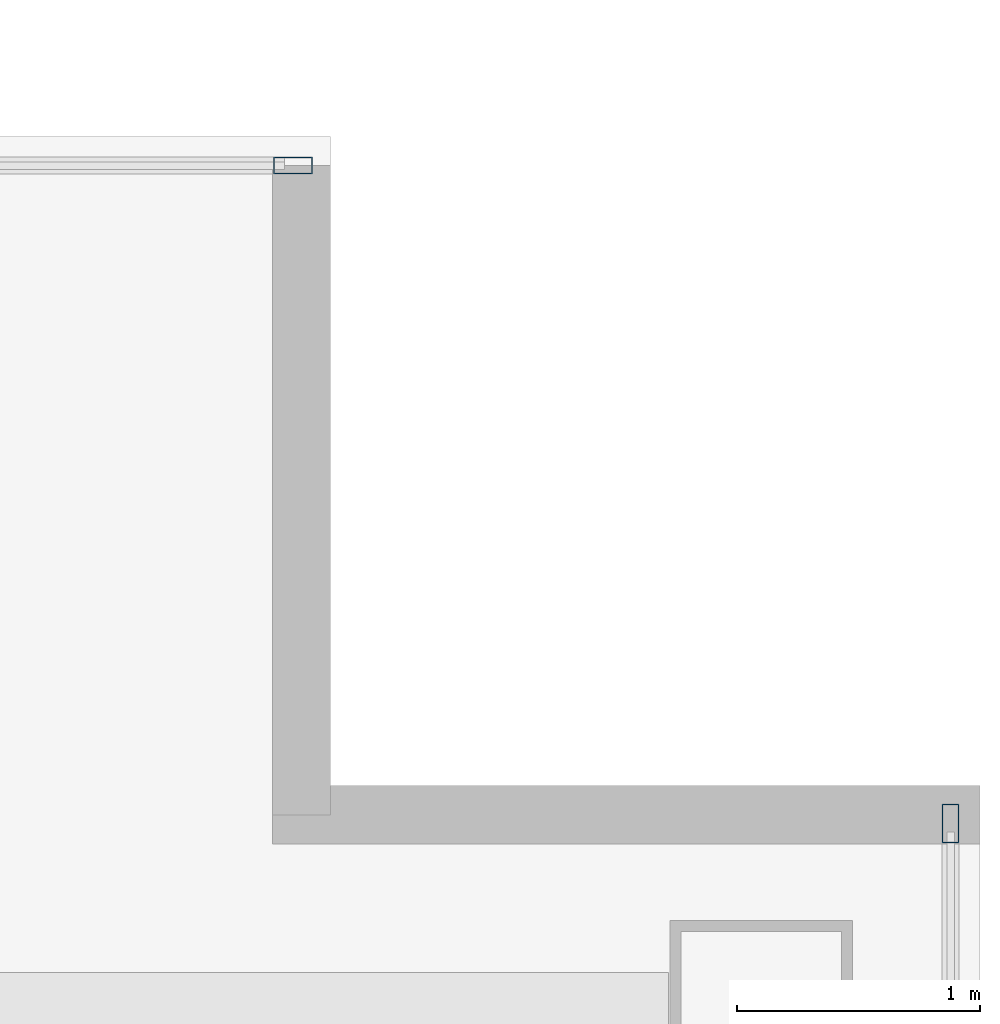
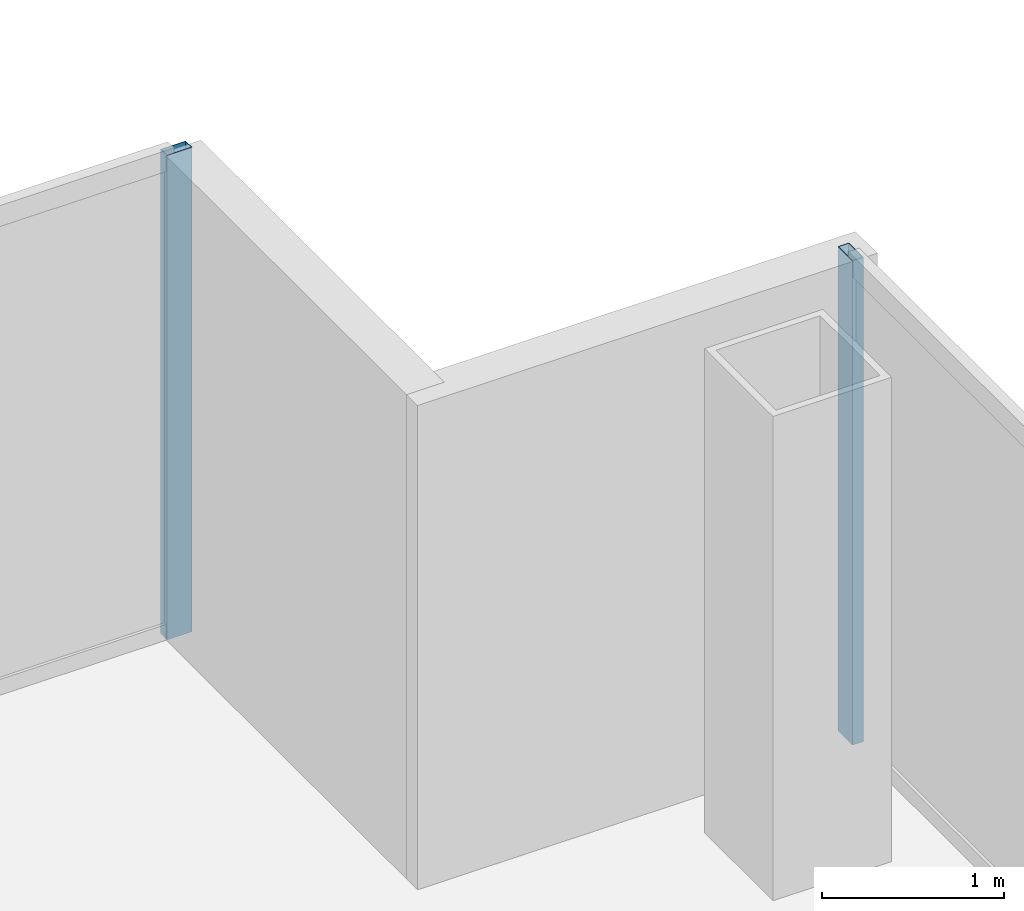
# One storey, part 16 of 23: 2 members, 2 elements without a shape of their own.
"""IFC4 building model written with IfcOpenShell, lengths in metres."""

import ifcopenshell
import ifcopenshell.guid

model = None  # the IFC model being written
_history = None  # IfcOwnerHistory: only IFC2X3 demands one
_inside = {}  # id of a spatial element -> (the spatial element, [elements in it])
_under = {}  # id of a project, library or spatial element -> (it, [spatial elements below it])
_declared = {}  # id of a project -> (the project, [libraries it declares])
_typed = {}  # id of a type object -> (the type object, [elements of that type])
_made_of = {}  # id of a material, layer set ... -> (it, [elements and type objects made of it])


def new_model(schema):
    """Start an empty IFC model of exactly this schema.

    Asked for "IFC4X3", IfcOpenShell would pick the latest addendum, in which some entities
    have other attributes; the version numbers below select the first issue.
    IFC2X3 requires an IfcOwnerHistory on every rooted entity: one is made here for all.
    """
    global model, _history
    if schema == "IFC4X3":
        model = ifcopenshell.file(schema_version=(4, 3, 0, 0))
    else:
        model = ifcopenshell.file(schema=schema)
    _inside.clear()
    _under.clear()
    _declared.clear()
    _typed.clear()
    _made_of.clear()
    _history = None
    if model.schema == "IFC2X3":
        org = make("IfcOrganization", Name="unknown")
        user = make(
            "IfcPersonAndOrganization",
            ThePerson=make("IfcPerson", FamilyName="unknown"),
            TheOrganization=org,
        )
        app = make(
            "IfcApplication",
            ApplicationDeveloper=org,
            Version="unknown",
            ApplicationFullName="unknown",
            ApplicationIdentifier="unknown",
        )
        _history = make(
            "IfcOwnerHistory",
            OwningUser=user,
            OwningApplication=app,
            ChangeAction="ADDED",
            CreationDate=0,
        )
    return model


def make(cls, **values):
    """One entity of the class cls with the attributes given. An attribute that is None is left unset."""
    return model.create_entity(
        cls, **{name: value for name, value in values.items() if value is not None}
    )


def rooted(cls, **values):
    """An entity with a GlobalId (a new one), such as an element, a storey or a relation."""
    return make(cls, GlobalId=ifcopenshell.guid.new(), OwnerHistory=_history, **values)


def si_unit(unit_type, name, prefix=None):
    """IfcSIUnit, for example si_unit("LENGTHUNIT", "METRE", prefix="MILLI")."""
    return make("IfcSIUnit", UnitType=unit_type, Prefix=prefix, Name=name)


def assignment(units):
    """IfcUnitAssignment: the units of a project."""
    return None if units is None else make("IfcUnitAssignment", Units=units)


def point(xyz):
    """IfcCartesianPoint."""
    return None if xyz is None else make("IfcCartesianPoint", Coordinates=xyz)


def direction(xyz):
    """IfcDirection."""
    return None if xyz is None else make("IfcDirection", DirectionRatios=xyz)


def frame(location, z_axis=None, x_axis=None):
    """IfcAxis2Placement3D, a coordinate frame: its origin and axes. An axis left out is left unset."""
    return make(
        "IfcAxis2Placement3D",
        Location=point(location),
        Axis=direction(z_axis),
        RefDirection=direction(x_axis),
    )


def frame_2d(location, x_axis=None):
    """IfcAxis2Placement2D, a coordinate frame in the plane: its origin and x axis."""
    return make(
        "IfcAxis2Placement2D", Location=point(location), RefDirection=direction(x_axis)
    )


def origin():
    """The frame at (0, 0, 0) with its axes left unset."""
    return frame((0.0, 0.0, 0.0))


def origin_2d():
    """The frame at (0, 0) in the plane with its x axis left unset."""
    return frame_2d((0.0, 0.0))


def place(relative_to, where):
    """IfcLocalPlacement: puts the frame where relative to a parent placement (None: the world)."""
    return make(
        "IfcLocalPlacement", PlacementRelTo=relative_to, RelativePlacement=where
    )


def context(
    kind, dimensions, precision=None, world=None, true_north=None, identifier=None
):
    """IfcGeometricRepresentationContext, for example the 3D "Model" context."""
    return make(
        "IfcGeometricRepresentationContext",
        ContextIdentifier=identifier,
        ContextType=kind,
        CoordinateSpaceDimension=dimensions,
        Precision=precision,
        WorldCoordinateSystem=world,
        TrueNorth=true_north,
    )


def subcontext(parent, identifier, kind, view, scale=None):
    """IfcGeometricRepresentationSubContext, for example "Body" below "Model"."""
    return make(
        "IfcGeometricRepresentationSubContext",
        ContextIdentifier=identifier,
        ContextType=kind,
        ParentContext=parent,
        TargetScale=scale,
        TargetView=view,
    )


def project(units=None, contexts=None):
    """IfcProject with its units and contexts."""
    return rooted(
        "IfcProject",
        Name="project",
        RepresentationContexts=contexts,
        UnitsInContext=assignment(units),
    )


def spatial(cls, under=None, at=None, **own):
    """A site, building, storey or space (cls), placed at a placement, below another one or the project."""
    s = rooted(cls, ObjectPlacement=at, **own)
    if under is not None:
        _under.setdefault(under.id(), (under, []))[1].append(s)
    return s


def profile(cls, at=None, kind="AREA", **sizes):
    """A parametric profile (cls). Its sizes go by their IFC names, for example OverallWidth=200.0."""
    return make(cls, ProfileType=kind, Position=at, **sizes)


def hollow_rectangle(**sizes):
    """IfcRectangleHollowProfileDef."""
    return profile("IfcRectangleHollowProfileDef", **sizes)


def extrude(swept, where, along, depth):
    """IfcExtrudedAreaSolid: the profile swept, set in the frame where, extruded along a direction by depth."""
    return make(
        "IfcExtrudedAreaSolid",
        SweptArea=swept,
        Position=where,
        ExtrudedDirection=direction(along),
        Depth=depth,
    )


def shape(context_of_items, identifier, shape_type, items):
    """IfcShapeRepresentation: the items that make up one representation, for example the "Body"."""
    return make(
        "IfcShapeRepresentation",
        ContextOfItems=context_of_items,
        RepresentationIdentifier=identifier,
        RepresentationType=shape_type,
        Items=items,
    )


def material(Name=None, Category=None):
    """IfcMaterial."""
    return make("IfcMaterial", Name=Name, Category=Category)


def material_profile(
    of_material, cross_section, Name=None, Category=None, Priority=None
):
    """IfcMaterialProfile: a cross section and its material."""
    return make(
        "IfcMaterialProfile",
        Name=Name,
        Material=of_material,
        Profile=cross_section,
        Priority=Priority,
        Category=Category,
    )


def profile_set(profiles, Name=None, composite=None):
    """IfcMaterialProfileSet."""
    return make(
        "IfcMaterialProfileSet",
        Name=Name,
        MaterialProfiles=profiles,
        CompositeProfile=composite,
    )


def made_of(thing, what):
    """Note that an element or type object is made of a material, layer set ...; save() writes the relation."""
    if what is not None:
        _made_of.setdefault(what.id(), (what, []))[1].append(thing)
    return thing


def type_object(cls, material=None, **own):
    """A type object (cls), such as IfcWallType, which elements share."""
    return made_of(rooted(cls, **own), material)


def element(
    cls,
    number,
    at=None,
    inside=None,
    cuts=None,
    type_object=None,
    material=None,
    context=None,
    identifier="Body",
    shape_type=None,
    held_by="IfcProductDefinitionShape",
    body=None,
    shapes=None,
    **own,
):
    """One element of the class cls, such as IfcWall. Its Tag is "e" and its number.

    at: its placement. inside: the storey or other place that contains it. cuts: it is an
    opening in that element (IfcRelVoidsElement). A single representation is given by context,
    identifier, shape_type and body (its items); several are given by shapes. held_by: the class
    of the entity that holds the representations. save() writes the other relations.
    """
    e = rooted(cls, Tag="e%d" % number, ObjectPlacement=at, **own)
    if body is not None:
        shapes = [shape(context, identifier, shape_type, body)]
    if shapes is not None:
        e.Representation = make(held_by, Representations=shapes)
    if inside is not None:
        _inside.setdefault(inside.id(), (inside, []))[1].append(e)
    if cuts is not None:
        rooted(
            "IfcRelVoidsElement", RelatingBuildingElement=cuts, RelatedOpeningElement=e
        )
    if type_object is not None:
        _typed.setdefault(type_object.id(), (type_object, []))[1].append(e)
    return made_of(e, material)


def aggregate(whole, parts):
    """IfcRelAggregates: a whole, such as a stair, and the parts it consists of."""
    return rooted("IfcRelAggregates", RelatingObject=whole, RelatedObjects=parts)


def save(model, path):
    """Write the relations noted so far, then the file.

    IfcRelAggregates (storeys below a building ...), IfcRelContainedInSpatialStructure (elements
    in a storey), IfcRelDefinesByType, IfcRelAssociatesMaterial and IfcRelDeclares: one each for
    every whole, place, type object, material and project.
    """
    for whole, parts in _under.values():
        aggregate(whole, parts)
    for where, things in _inside.values():
        rooted(
            "IfcRelContainedInSpatialStructure",
            RelatedElements=things,
            RelatingStructure=where,
        )
    for kind, things in _typed.values():
        rooted("IfcRelDefinesByType", RelatedObjects=things, RelatingType=kind)
    for what, things in _made_of.values():
        rooted("IfcRelAssociatesMaterial", RelatedObjects=things, RelatingMaterial=what)
    for by, libraries in _declared.values():
        rooted("IfcRelDeclares", RelatingContext=by, RelatedDefinitions=libraries)
    model.write(path)


model = new_model("IFC4")

# Units and contexts
model_context = context("Model", 3, precision=1e-05, world=origin(), true_north=direction((0.0, 1.0)))
body_context = subcontext(model_context, "Body", "Model", "MODEL_VIEW")
ifc_project = project(units=[si_unit("LENGTHUNIT", "METRE"), si_unit("AREAUNIT", "SQUARE_METRE"), si_unit("VOLUMEUNIT", "CUBIC_METRE"), si_unit("PLANEANGLEUNIT", "RADIAN"), si_unit("MASSUNIT", "GRAM", prefix="KILO")], contexts=[model_context])

# Site, building, storey
site_placement = place(None, origin())
site = spatial("IfcSite", under=ifc_project, at=site_placement, CompositionType="ELEMENT")
building_placement = place(site_placement, origin())
building = spatial("IfcBuilding", under=site, at=building_placement, Name="Cobrela Telecom Tower", CompositionType="ELEMENT")
storey_placement = place(building_placement, frame((0.0, 0.0, 222.25)))
storey = spatial("IfcBuildingStorey", under=building, at=storey_placement, Name="L57", CompositionType="ELEMENT", Elevation=222.25)

# Curtain wall, member
ifc_material = material(Name="Anodized Bronze Aluminium 6063-T6", Category="aluminium")
curtain_wall_type = type_object("IfcCurtainWallType", Name="CW-SYS-OFF-LO", PredefinedType="USERDEFINED", material=ifc_material)
curtain_wall_1_placement = place(storey_placement, origin())
curtain_wall_1 = element("IfcCurtainWall", 1, at=curtain_wall_1_placement, inside=storey, type_object=curtain_wall_type, Name="L57 Unitised Bronze Curtain Wall 11", ObjectType="UNITISED CURTAIN WALL", PredefinedType="USERDEFINED")
ifc_material_profile = material_profile(ifc_material, hollow_rectangle(XDim=0.070068359375, YDim=0.159912109375, WallThickness=0.00390625, at=origin_2d()), Name="ALU 70x160x4")
ifc_profile_set = profile_set([ifc_material_profile], Name="Anodized Bronze Aluminium 6063-T6")
member_type = type_object("IfcMemberType", Name="CW-SYS-OFF-LO-MUL", PredefinedType="MULLION", material=ifc_profile_set)
member_1_placement = place(storey_placement, frame((41.175048828125, 25.080078125, 0.0), z_axis=(0.0, 0.0, 1.0), x_axis=(0.0, 1.0, 0.0)))
member_1 = element("IfcMember", 2, at=member_1_placement, type_object=member_type, Name="CW-OFF-LO mullion 3", PredefinedType="MULLION", context=body_context, shape_type="SweptSolid", body=[
    extrude(hollow_rectangle(XDim=0.070068359375, YDim=0.159912109375, WallThickness=0.00390625, at=origin_2d()), origin(), (0.0, 0.0, 1.0), 3.239990234375),
])
aggregate(curtain_wall_1, [member_1])

curtain_wall_2_placement = place(storey_placement, origin())
curtain_wall_2 = element("IfcCurtainWall", 3, at=curtain_wall_2_placement, inside=storey, type_object=curtain_wall_type, Name="L57 Unitised Bronze Curtain Wall 14", ObjectType="UNITISED CURTAIN WALL", PredefinedType="USERDEFINED")
member_2_placement = place(storey_placement, frame((43.8798828125, 22.375, 0.0), z_axis=(0.0, 0.0, 1.0), x_axis=(1.0, 0.0, 0.0)))
member_2 = element("IfcMember", 4, at=member_2_placement, type_object=member_type, Name="CW-OFF-LO mullion 1", PredefinedType="MULLION", context=body_context, shape_type="SweptSolid", body=[
    extrude(hollow_rectangle(XDim=0.070068359375, YDim=0.159912109375, WallThickness=0.00390625, at=origin_2d()), origin(), (0.0, 0.0, 1.0), 3.239990234375),
])
aggregate(curtain_wall_2, [member_2])

save(model, "model.ifc")
